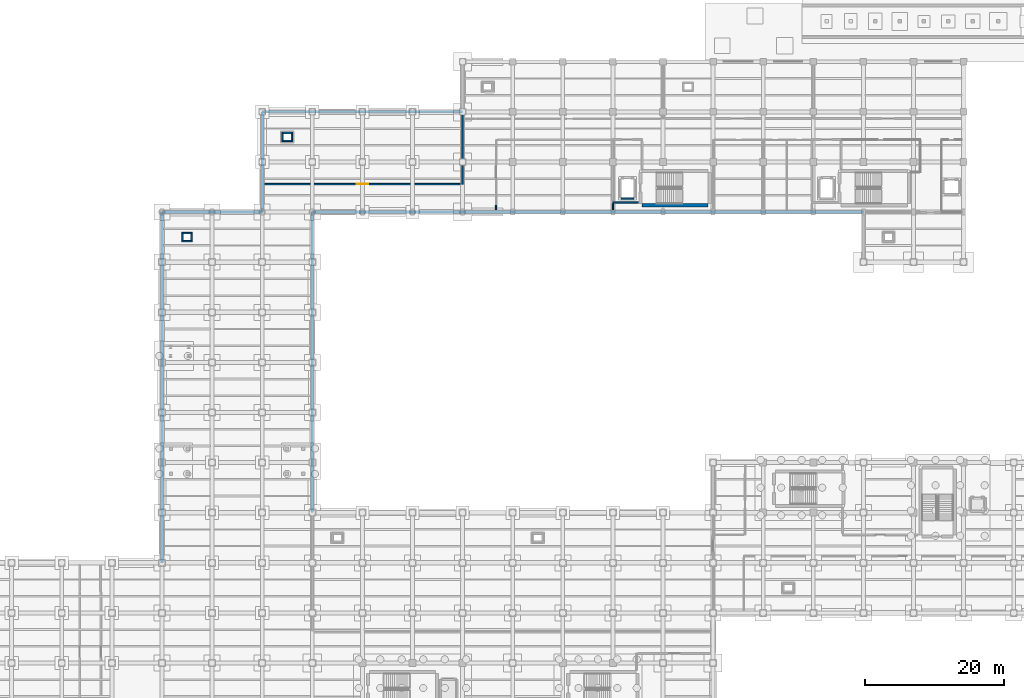
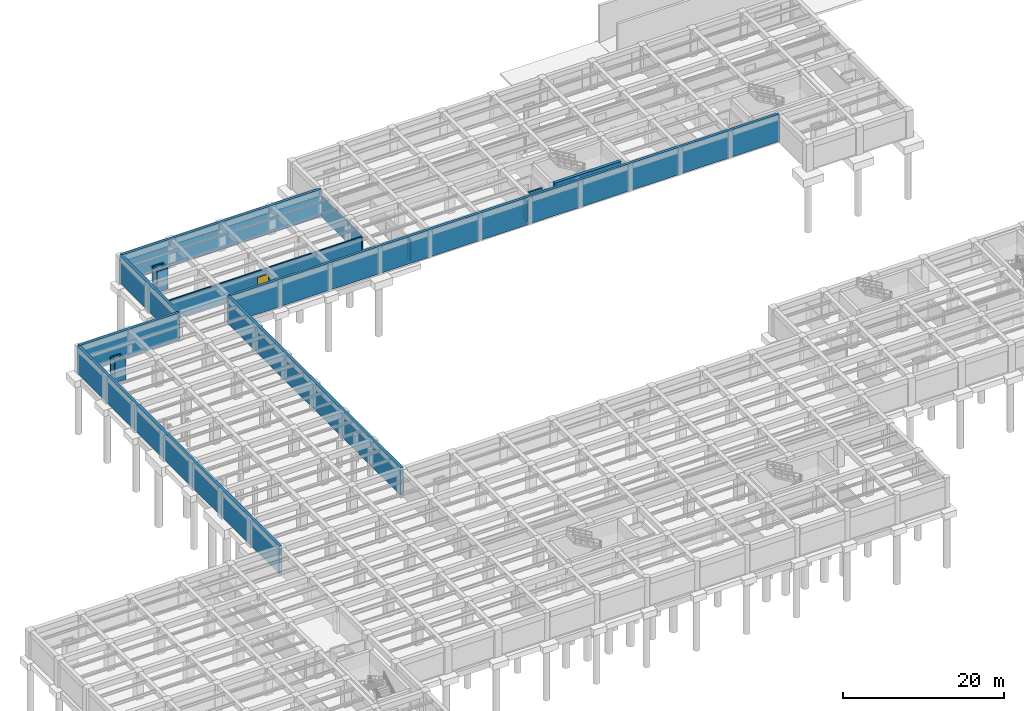
# One storey, part 19 of 34: 21 walls, 1 door, 1 opening.
"""IFC4 building model written with IfcOpenShell, lengths in metres."""

from ifc_helpers import new_model, si_unit, direction, frame, frame_2d, origin, place, context, subcontext, project, spatial, rectangle, extrude, material, layer, layer_set, type_object, element, fill, save


model = new_model("IFC4")

# Units and contexts
model_context = context("Model", 3, precision=1e-05, world=origin(), true_north=direction((0.0, 1.0)))
body_context = subcontext(model_context, "Body", "Model", "MODEL_VIEW")
ifc_project = project(units=[si_unit("LENGTHUNIT", "METRE"), si_unit("AREAUNIT", "SQUARE_METRE"), si_unit("VOLUMEUNIT", "CUBIC_METRE"), si_unit("PLANEANGLEUNIT", "RADIAN"), si_unit("MASSUNIT", "GRAM", prefix="KILO")], contexts=[model_context])

# Site, building, storey
site_placement = place(None, origin())
site = spatial("IfcSite", under=ifc_project, at=site_placement, CompositionType="ELEMENT")
building_placement = place(site_placement, origin())
building = spatial("IfcBuilding", under=site, at=building_placement, Name="Solenvale Faculty of Natural Sciences", CompositionType="ELEMENT")
storey_placement = place(building_placement, frame((0.0, 0.0, -4.5)))
storey = spatial("IfcBuildingStorey", under=building, at=storey_placement, Name="B01", CompositionType="ELEMENT", Elevation=-4.5)

# Walls
ifc_material_1 = material(Name="Gypsum fire-rated shaftwall")
ifc_layer_1 = layer(ifc_material_1, 0.205078125)
ifc_layer_set_1 = layer_set([ifc_layer_1], Name="Gypsum fire-rated shaftwall")
wall_type_1 = type_object("IfcWallType", Name="WL-FFL-205", PredefinedType="PARTITIONING", material=ifc_layer_set_1)
wall_1_placement = place(storey_placement, frame((104.445068359375, 95.0, 0.0), z_axis=(0.0, 0.0, 1.0), x_axis=(-1.0, 0.0, 0.0)))
element("IfcWall", 1, at=wall_1_placement, inside=storey, type_object=wall_type_1, Name="B01 Firefighting Lobby C4 Partition 20", PredefinedType="PARTITIONING", context=body_context, shape_type="SweptSolid", body=[
    extrude(rectangle(XDim=3.64501953125, YDim=0.205078125, at=frame_2d((1.822509765625, 0.0))), origin(), (0.0, 0.0, 1.0), 3.18994140625),
])
ifc_material_2 = material(Name="Gypsum fire-rated laboratory partition")
ifc_layer_2 = layer(ifc_material_2, 0.175048828125)
ifc_layer_set_2 = layer_set([ifc_layer_2], Name="Gypsum fire-rated laboratory partition")
wall_type_2 = type_object("IfcWallType", Name="WL-LAB-175", PredefinedType="PARTITIONING", material=ifc_layer_set_2)
wall_2_placement = place(storey_placement, frame((84.0, 93.89990234375, 0.0), z_axis=(0.0, 0.0, 1.0), x_axis=(0.0, 1.0, 0.0)))
element("IfcWall", 2, at=wall_2_placement, inside=storey, type_object=wall_type_2, Name="B01 Laboratory Glassware Wash and Autoclave Store Partition 1", PredefinedType="PARTITIONING", context=body_context, shape_type="SweptSolid", body=[
    extrude(rectangle(XDim=0.68017578125, YDim=0.175048828125, at=frame_2d((0.340087890625, 0.0))), origin(), (0.0, 0.0, 1.0), 3.18994140625),
])
wall_3_placement = place(storey_placement, frame((100.800048828125, 94.798095703125, 0.0), z_axis=(0.0, 0.0, 1.0), x_axis=(0.0, -1.0, 0.0)))
element("IfcWall", 3, at=wall_3_placement, inside=storey, type_object=wall_type_2, Name="B01 Laboratory Glassware Wash and Autoclave Store Partition 37", PredefinedType="PARTITIONING", context=body_context, shape_type="SweptSolid", body=[
    extrude(rectangle(XDim=0.898193359375, YDim=0.175048828125, at=frame_2d((0.44921875, 0.0))), origin(), (0.0, 0.0, 1.0), 3.18994140625),
])
ifc_material_3 = material(Name="Concrete 40 MPa", Category="concrete")
ifc_layer_3 = layer(ifc_material_3, 0.39990234375)
ifc_layer_set_3 = layer_set([ifc_layer_3], Name="Concrete 40 MPa")
wall_type_3 = type_object("IfcWallType", Name="WL-RET-400", PredefinedType="SOLIDWALL", material=ifc_layer_set_3)
wall_4_placement = place(storey_placement, frame((36.0, 43.199951171875, 0.0), z_axis=(0.0, 0.0, 1.0), x_axis=(0.0, 1.0, 0.0)))
element("IfcWall", 4, at=wall_4_placement, inside=storey, type_object=wall_type_3, Name="B01 Escarpment Retaining Wall 2", PredefinedType="SOLIDWALL", context=body_context, shape_type="SweptSolid", body=[
    extrude(rectangle(XDim=50.400146484375, YDim=0.39990234375, at=frame_2d((25.2001953125, 0.0))), origin(), (0.0, 0.0, 1.0), 4.14990234375),
])
for number, where, z_axis, x_axis, name in (
    (5, (36.0, 93.60009765625, 0.0), (0.0, 0.0, 1.0), (1.0, 0.0, 0.0), "B01 Escarpment Retaining Wall 3"),
    (6, (50.39990234375, 93.60009765625, 0.0), (0.0, 0.0, 1.0), (0.0, 1.0, 0.0), "B01 Escarpment Retaining Wall 4"),
):
    element("IfcWall", number, at=place(storey_placement, frame(where, z_axis=z_axis, x_axis=x_axis)), inside=storey, type_object=wall_type_3, Name=name, PredefinedType="SOLIDWALL", context=body_context, shape_type="SweptSolid", body=[
        extrude(rectangle(XDim=14.39990234375, YDim=0.39990234375, at=frame_2d((7.199951171875, 0.0))), origin(), (0.0, 0.0, 1.0), 4.14990234375),
    ])
wall_5_placement = place(storey_placement, frame((50.39990234375, 108.0, 0.0), z_axis=(0.0, 0.0, 1.0), x_axis=(1.0, 0.0, 0.0)))
element("IfcWall", 7, at=wall_5_placement, inside=storey, type_object=wall_type_3, Name="B01 Escarpment Retaining Wall 5", PredefinedType="SOLIDWALL", context=body_context, shape_type="SweptSolid", body=[
    extrude(rectangle(XDim=28.800048828125, YDim=0.39990234375, at=frame_2d((14.39990234375, 0.0))), origin(), (0.0, 0.0, 1.0), 4.14990234375),
])
wall_6_placement = place(storey_placement, frame((136.800048828125, 93.60009765625, 0.0), z_axis=(0.0, 0.0, 1.0), x_axis=(-1.0, 0.0, 0.0)))
element("IfcWall", 8, at=wall_6_placement, inside=storey, type_object=wall_type_3, Name="B01 Escarpment Retaining Wall 11", PredefinedType="SOLIDWALL", context=body_context, shape_type="SweptSolid", body=[
    extrude(rectangle(XDim=79.199951171875, YDim=0.39990234375, at=frame_2d((39.60009765625, 0.0))), origin(), (0.0, 0.0, 1.0), 4.14990234375),
])
wall_7_placement = place(storey_placement, frame((57.60009765625, 93.60009765625, 0.0), z_axis=(0.0, 0.0, 1.0), x_axis=(0.0, -1.0, 0.0)))
element("IfcWall", 9, at=wall_7_placement, inside=storey, type_object=wall_type_3, Name="B01 Escarpment Retaining Wall 12", PredefinedType="SOLIDWALL", context=body_context, shape_type="SweptSolid", body=[
    extrude(rectangle(XDim=43.2001953125, YDim=0.39990234375, at=frame_2d((21.60009765625, 0.0))), origin(), (0.0, 0.0, 1.0), 4.14990234375),
])
ifc_layer_4 = layer(ifc_material_3, 0.219970703125)
ifc_layer_set_4 = layer_set([ifc_layer_4], Name="Concrete 40 MPa")
wall_type_4 = type_object("IfcWallType", Name="WL-SHF-220", PredefinedType="STANDARD", material=ifc_layer_set_4)
wall_8_placement = place(storey_placement, frame((101.97998046875, 95.570068359375, 0.0), z_axis=(0.0, 0.0, 1.0), x_axis=(1.0, 0.0, 0.0)))
element("IfcWall", 10, at=wall_8_placement, inside=storey, type_object=wall_type_4, Name="Elevator LF-01 B01 Shaft Wall S", PredefinedType="STANDARD", context=body_context, shape_type="SweptSolid", body=[
    extrude(rectangle(XDim=1.840087890625, YDim=0.219970703125, at=frame_2d((0.919921875, 0.0))), origin(), (0.0, 0.0, 1.0), 3.18994140625),
])
for number, where, z_axis, x_axis, name in (
    (11, (38.830078125, 89.43994140625, 0.0), (0.0, 0.0, 1.0), (1.0, 0.0, 0.0), "B01 Service Riser Shaft 2 Wall S"),
    (12, (38.830078125, 90.56005859375, 0.0), (0.0, 0.0, 1.0), (1.0, 0.0, 0.0), "B01 Service Riser Shaft 2 Wall N"),
):
    element("IfcWall", number, at=place(storey_placement, frame(where, z_axis=z_axis, x_axis=x_axis)), inside=storey, type_object=wall_type_4, Name=name, PredefinedType="STANDARD", context=body_context, shape_type="SweptSolid", body=[
        extrude(rectangle(XDim=1.5400390625, YDim=0.219970703125, at=frame_2d((0.77001953125, 0.0))), origin(), (0.0, 0.0, 1.0), 3.18994140625),
    ])
for number, where, z_axis, x_axis, name in (
    (13, (38.93994140625, 89.550048828125, 0.0), (0.0, 0.0, 1.0), (0.0, 1.0, 0.0), "B01 Service Riser Shaft 2 Wall W"),
    (14, (40.260009765625, 89.550048828125, 0.0), (0.0, 0.0, 1.0), (0.0, 1.0, 0.0), "B01 Service Riser Shaft 2 Wall E"),
):
    element("IfcWall", number, at=place(storey_placement, frame(where, z_axis=z_axis, x_axis=x_axis)), inside=storey, type_object=wall_type_4, Name=name, PredefinedType="STANDARD", context=body_context, shape_type="SweptSolid", body=[
        extrude(rectangle(XDim=0.89990234375, YDim=0.219970703125, at=frame_2d((0.449951171875, 0.0))), origin(), (0.0, 0.0, 1.0), 3.18994140625),
    ])
for number, where, z_axis, x_axis, name in (
    (15, (53.22998046875, 103.840087890625, 0.0), (0.0, 0.0, 1.0), (1.0, 0.0, 0.0), "B01 Service Riser Shaft 3 Wall S"),
    (16, (53.22998046875, 104.9599609375, 0.0), (0.0, 0.0, 1.0), (1.0, 0.0, 0.0), "B01 Service Riser Shaft 3 Wall N"),
):
    element("IfcWall", number, at=place(storey_placement, frame(where, z_axis=z_axis, x_axis=x_axis)), inside=storey, type_object=wall_type_4, Name=name, PredefinedType="STANDARD", context=body_context, shape_type="SweptSolid", body=[
        extrude(rectangle(XDim=1.5400390625, YDim=0.219970703125, at=frame_2d((0.77001953125, 0.0))), origin(), (0.0, 0.0, 1.0), 3.18994140625),
    ])
for number, where, z_axis, x_axis, name in (
    (17, (53.340087890625, 103.949951171875, 0.0), (0.0, 0.0, 1.0), (0.0, 1.0, 0.0), "B01 Service Riser Shaft 3 Wall W"),
    (18, (54.659912109375, 103.949951171875, 0.0), (0.0, 0.0, 1.0), (0.0, 1.0, 0.0), "B01 Service Riser Shaft 3 Wall E"),
):
    element("IfcWall", number, at=place(storey_placement, frame(where, z_axis=z_axis, x_axis=x_axis)), inside=storey, type_object=wall_type_4, Name=name, PredefinedType="STANDARD", context=body_context, shape_type="SweptSolid", body=[
        extrude(rectangle(XDim=0.900146484375, YDim=0.219970703125, at=frame_2d((0.4501953125, 0.0))), origin(), (0.0, 0.0, 1.0), 3.18994140625),
    ])
ifc_material_4 = material(Name="Concrete 50 MPa", Category="concrete")
ifc_layer_5 = layer(ifc_material_4, 0.43994140625)
ifc_layer_set_5 = layer_set([ifc_layer_5], Name="Concrete 50 MPa")
wall_type_5 = type_object("IfcWallType", Name="WL-SHR-440", PredefinedType="SHEAR", material=ifc_layer_set_5)
wall_9_placement = place(storey_placement, frame((105.0, 94.580078125, 0.0), z_axis=(0.0, 0.0, 1.0), x_axis=(1.0, 0.0, 0.0)))
element("IfcWall", 19, at=wall_9_placement, inside=storey, type_object=wall_type_5, Name="Core C4 B01 Shear Wall S", PredefinedType="SHEAR", context=body_context, shape_type="SweptSolid", body=[
    extrude(rectangle(XDim=9.5, YDim=0.43994140625, at=frame_2d((4.75, 0.0))), origin(), (0.0, 0.0, 1.0), 4.14990234375),
])
ifc_material_5 = material(Name="Concrete masonry 20 MPa", Category="masonry")
ifc_layer_6 = layer(ifc_material_5, 0.195068359375)
ifc_layer_set_6 = layer_set([ifc_layer_6], Name="Concrete masonry 20 MPa")
wall_type_6 = type_object("IfcWallType", Name="WL-STR-195", PredefinedType="PARTITIONING", material=ifc_layer_set_6)
wall_10_placement = place(storey_placement, frame((79.199951171875, 107.69091796875, 0.0), z_axis=(0.0, 0.0, 1.0), x_axis=(0.0, -1.0, 0.0)))
element("IfcWall", 20, at=wall_10_placement, inside=storey, type_object=wall_type_6, Name="B01 Bicycle Storage Hub Partition 3", PredefinedType="PARTITIONING", context=body_context, shape_type="SweptSolid", body=[
    extrude(rectangle(XDim=10.07080078125, YDim=0.195068359375, at=frame_2d((5.035400390625, 0.0))), origin(), (0.0, 0.0, 1.0), 3.18994140625),
])

# Wall, opening, door
wall_11_placement = place(storey_placement, frame((78.992919921875, 97.6201171875, 0.0), z_axis=(0.0, 0.0, 1.0), x_axis=(-1.0, 0.0, 0.0)))
wall_11 = element("IfcWall", 21, at=wall_11_placement, inside=storey, type_object=wall_type_6, Name="B01 Bicycle Storage Hub Partition 4", PredefinedType="PARTITIONING", context=body_context, shape_type="SweptSolid", body=[
    extrude(rectangle(XDim=28.283935546875, YDim=0.195068359375, at=frame_2d((14.14208984375, 0.0))), origin(), (0.0, 0.0, 1.0), 3.18994140625),
])
opening_placement = place(wall_11_placement, frame((13.31689453125, 0.0, 0.0)))
opening = element("IfcOpeningElement", 22, at=opening_placement, cuts=wall_11, Name="Opening D-B01-12", PredefinedType="OPENING", context=body_context, shape_type="SweptSolid", body=[
    extrude(rectangle(XDim=1.64990234375, YDim=2.199951171875, at=frame_2d((0.824951171875, 1.10009765625))), frame((0.0, 0.107421875, 0.0), z_axis=(0.0, -1.0, 0.0), x_axis=(1.0, 0.0, 0.0)), (0.0, 0.0, 1.0), 0.215087890625),
])
ifc_material_6 = material(Name="Galvanised steel S355", Category="steel")
door_type = type_object("IfcDoorType", Name="DR-PLT-1650x2200", OperationType="NOTDEFINED", PredefinedType="DOOR", material=ifc_material_6)
door_placement = place(opening_placement, origin())
door = element("IfcDoor", 23, at=door_placement, inside=storey, type_object=door_type, Name="B01 Bicycle Storage Hub Door", OperationType="SINGLE_SWING_RIGHT", OverallHeight=2.199951171875, OverallWidth=1.64990234375, PredefinedType="DOOR", context=body_context, shape_type="SweptSolid", body=[
    extrude(rectangle(XDim=1.64990234375, YDim=2.199951171875, at=frame_2d((0.824951171875, 1.10009765625))), frame((0.0, 0.02490234375, 0.0), z_axis=(0.0, -1.0, 0.0), x_axis=(1.0, 0.0, 0.0)), (0.0, 0.0, 1.0), 0.050048828125),
])
fill(opening, door)

save(model, "model.ifc")
